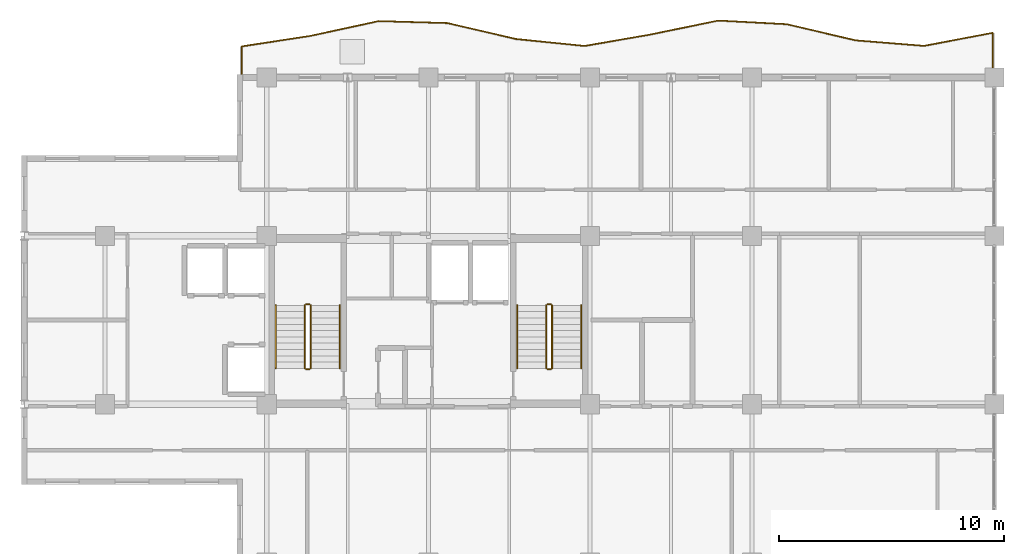
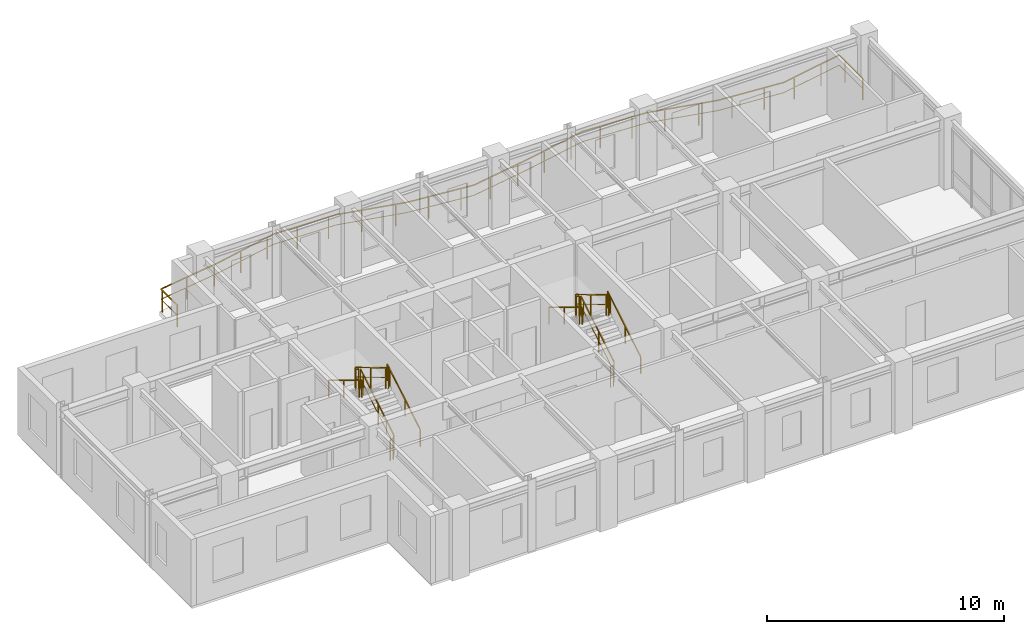
# One storey, part 10 of 10: 13 railings.
"""IFC4 building model written with IfcOpenShell, lengths in metres."""

import ifcopenshell
import ifcopenshell.guid

model = None  # the IFC model being written
_history = None  # IfcOwnerHistory: only IFC2X3 demands one
_inside = {}  # id of a spatial element -> (the spatial element, [elements in it])
_under = {}  # id of a project, library or spatial element -> (it, [spatial elements below it])
_declared = {}  # id of a project -> (the project, [libraries it declares])
_typed = {}  # id of a type object -> (the type object, [elements of that type])
_made_of = {}  # id of a material, layer set ... -> (it, [elements and type objects made of it])


def new_model(schema):
    """Start an empty IFC model of exactly this schema.

    Asked for "IFC4X3", IfcOpenShell would pick the latest addendum, in which some entities
    have other attributes; the version numbers below select the first issue.
    IFC2X3 requires an IfcOwnerHistory on every rooted entity: one is made here for all.
    """
    global model, _history
    if schema == "IFC4X3":
        model = ifcopenshell.file(schema_version=(4, 3, 0, 0))
    else:
        model = ifcopenshell.file(schema=schema)
    _inside.clear()
    _under.clear()
    _declared.clear()
    _typed.clear()
    _made_of.clear()
    _history = None
    if model.schema == "IFC2X3":
        org = make("IfcOrganization", Name="unknown")
        user = make(
            "IfcPersonAndOrganization",
            ThePerson=make("IfcPerson", FamilyName="unknown"),
            TheOrganization=org,
        )
        app = make(
            "IfcApplication",
            ApplicationDeveloper=org,
            Version="unknown",
            ApplicationFullName="unknown",
            ApplicationIdentifier="unknown",
        )
        _history = make(
            "IfcOwnerHistory",
            OwningUser=user,
            OwningApplication=app,
            ChangeAction="ADDED",
            CreationDate=0,
        )
    return model


def make(cls, **values):
    """One entity of the class cls with the attributes given. An attribute that is None is left unset."""
    return model.create_entity(
        cls, **{name: value for name, value in values.items() if value is not None}
    )


def rooted(cls, **values):
    """An entity with a GlobalId (a new one), such as an element, a storey or a relation."""
    return make(cls, GlobalId=ifcopenshell.guid.new(), OwnerHistory=_history, **values)


def si_unit(unit_type, name, prefix=None):
    """IfcSIUnit, for example si_unit("LENGTHUNIT", "METRE", prefix="MILLI")."""
    return make("IfcSIUnit", UnitType=unit_type, Prefix=prefix, Name=name)


def assignment(units):
    """IfcUnitAssignment: the units of a project."""
    return None if units is None else make("IfcUnitAssignment", Units=units)


def point(xyz):
    """IfcCartesianPoint."""
    return None if xyz is None else make("IfcCartesianPoint", Coordinates=xyz)


def direction(xyz):
    """IfcDirection."""
    return None if xyz is None else make("IfcDirection", DirectionRatios=xyz)


def frame(location, z_axis=None, x_axis=None):
    """IfcAxis2Placement3D, a coordinate frame: its origin and axes. An axis left out is left unset."""
    return make(
        "IfcAxis2Placement3D",
        Location=point(location),
        Axis=direction(z_axis),
        RefDirection=direction(x_axis),
    )


def frame_2d(location, x_axis=None):
    """IfcAxis2Placement2D, a coordinate frame in the plane: its origin and x axis."""
    return make(
        "IfcAxis2Placement2D", Location=point(location), RefDirection=direction(x_axis)
    )


def origin():
    """The frame at (0, 0, 0) with its axes left unset."""
    return frame((0.0, 0.0, 0.0))


def origin_2d():
    """The frame at (0, 0) in the plane with its x axis left unset."""
    return frame_2d((0.0, 0.0))


def place(relative_to, where):
    """IfcLocalPlacement: puts the frame where relative to a parent placement (None: the world)."""
    return make(
        "IfcLocalPlacement", PlacementRelTo=relative_to, RelativePlacement=where
    )


def context(
    kind, dimensions, precision=None, world=None, true_north=None, identifier=None
):
    """IfcGeometricRepresentationContext, for example the 3D "Model" context."""
    return make(
        "IfcGeometricRepresentationContext",
        ContextIdentifier=identifier,
        ContextType=kind,
        CoordinateSpaceDimension=dimensions,
        Precision=precision,
        WorldCoordinateSystem=world,
        TrueNorth=true_north,
    )


def subcontext(parent, identifier, kind, view, scale=None):
    """IfcGeometricRepresentationSubContext, for example "Body" below "Model"."""
    return make(
        "IfcGeometricRepresentationSubContext",
        ContextIdentifier=identifier,
        ContextType=kind,
        ParentContext=parent,
        TargetScale=scale,
        TargetView=view,
    )


def project(units=None, contexts=None):
    """IfcProject with its units and contexts."""
    return rooted(
        "IfcProject",
        Name="project",
        RepresentationContexts=contexts,
        UnitsInContext=assignment(units),
    )


def spatial(cls, under=None, at=None, **own):
    """A site, building, storey or space (cls), placed at a placement, below another one or the project."""
    s = rooted(cls, ObjectPlacement=at, **own)
    if under is not None:
        _under.setdefault(under.id(), (under, []))[1].append(s)
    return s


def profile(cls, at=None, kind="AREA", **sizes):
    """A parametric profile (cls). Its sizes go by their IFC names, for example OverallWidth=200.0."""
    return make(cls, ProfileType=kind, Position=at, **sizes)


def rectangle(**sizes):
    """IfcRectangleProfileDef."""
    return profile("IfcRectangleProfileDef", **sizes)


def extrude(swept, where, along, depth):
    """IfcExtrudedAreaSolid: the profile swept, set in the frame where, extruded along a direction by depth."""
    return make(
        "IfcExtrudedAreaSolid",
        SweptArea=swept,
        Position=where,
        ExtrudedDirection=direction(along),
        Depth=depth,
    )


def shape(context_of_items, identifier, shape_type, items):
    """IfcShapeRepresentation: the items that make up one representation, for example the "Body"."""
    return make(
        "IfcShapeRepresentation",
        ContextOfItems=context_of_items,
        RepresentationIdentifier=identifier,
        RepresentationType=shape_type,
        Items=items,
    )


def material(Name=None, Category=None):
    """IfcMaterial."""
    return make("IfcMaterial", Name=Name, Category=Category)


def made_of(thing, what):
    """Note that an element or type object is made of a material, layer set ...; save() writes the relation."""
    if what is not None:
        _made_of.setdefault(what.id(), (what, []))[1].append(thing)
    return thing


def type_object(cls, material=None, **own):
    """A type object (cls), such as IfcWallType, which elements share."""
    return made_of(rooted(cls, **own), material)


def element(
    cls,
    number,
    at=None,
    inside=None,
    cuts=None,
    type_object=None,
    material=None,
    context=None,
    identifier="Body",
    shape_type=None,
    held_by="IfcProductDefinitionShape",
    body=None,
    shapes=None,
    **own,
):
    """One element of the class cls, such as IfcWall. Its Tag is "e" and its number.

    at: its placement. inside: the storey or other place that contains it. cuts: it is an
    opening in that element (IfcRelVoidsElement). A single representation is given by context,
    identifier, shape_type and body (its items); several are given by shapes. held_by: the class
    of the entity that holds the representations. save() writes the other relations.
    """
    e = rooted(cls, Tag="e%d" % number, ObjectPlacement=at, **own)
    if body is not None:
        shapes = [shape(context, identifier, shape_type, body)]
    if shapes is not None:
        e.Representation = make(held_by, Representations=shapes)
    if inside is not None:
        _inside.setdefault(inside.id(), (inside, []))[1].append(e)
    if cuts is not None:
        rooted(
            "IfcRelVoidsElement", RelatingBuildingElement=cuts, RelatedOpeningElement=e
        )
    if type_object is not None:
        _typed.setdefault(type_object.id(), (type_object, []))[1].append(e)
    return made_of(e, material)


def aggregate(whole, parts):
    """IfcRelAggregates: a whole, such as a stair, and the parts it consists of."""
    return rooted("IfcRelAggregates", RelatingObject=whole, RelatedObjects=parts)


def save(model, path):
    """Write the relations noted so far, then the file.

    IfcRelAggregates (storeys below a building ...), IfcRelContainedInSpatialStructure (elements
    in a storey), IfcRelDefinesByType, IfcRelAssociatesMaterial and IfcRelDeclares: one each for
    every whole, place, type object, material and project.
    """
    for whole, parts in _under.values():
        aggregate(whole, parts)
    for where, things in _inside.values():
        rooted(
            "IfcRelContainedInSpatialStructure",
            RelatedElements=things,
            RelatingStructure=where,
        )
    for kind, things in _typed.values():
        rooted("IfcRelDefinesByType", RelatedObjects=things, RelatingType=kind)
    for what, things in _made_of.values():
        rooted("IfcRelAssociatesMaterial", RelatedObjects=things, RelatingMaterial=what)
    for by, libraries in _declared.values():
        rooted("IfcRelDeclares", RelatingContext=by, RelatedDefinitions=libraries)
    model.write(path)


model = new_model("IFC4")

# Units and contexts
model_context = context("Model", 3, precision=1e-05, world=origin(), true_north=direction((0.0, 1.0)))
body_context = subcontext(model_context, "Body", "Model", "MODEL_VIEW")
ifc_project = project(units=[si_unit("LENGTHUNIT", "METRE"), si_unit("AREAUNIT", "SQUARE_METRE"), si_unit("VOLUMEUNIT", "CUBIC_METRE"), si_unit("PLANEANGLEUNIT", "RADIAN"), si_unit("MASSUNIT", "GRAM", prefix="KILO")], contexts=[model_context])

# Site, building, storey
site_placement = place(None, origin())
site = spatial("IfcSite", under=ifc_project, at=site_placement, CompositionType="ELEMENT")
building_placement = place(site_placement, origin())
building = spatial("IfcBuilding", under=site, at=building_placement, Name="Kaliganga Portal Commons", CompositionType="ELEMENT")
storey_placement = place(building_placement, frame((0.0, 0.0, 275.800048828125)))
storey = spatial("IfcBuildingStorey", under=building, at=storey_placement, Name="L71", CompositionType="ELEMENT", Elevation=275.800048828125)

# Railings
ifc_material_1 = material(Name="Laminated Safety Glass and Stainless Steel 316", Category="steel")
railing_type_1 = type_object("IfcRailingType", Name="RLG-BAL-1150", PredefinedType="BALUSTRADE", material=ifc_material_1)
railing_1_placement = place(storey_placement, frame((46.720458984375, 43.2080078125, 0.0)))
element("IfcRailing", 1, at=railing_1_placement, inside=storey, type_object=railing_type_1, Name="Balcony Guardrail L71 balc_north", PredefinedType="BALUSTRADE", context=body_context, shape_type="SweptSolid", body=[
    extrude(rectangle(XDim=0.048095703125, YDim=0.048095703125, at=origin_2d()), frame((0.0, 0.0, 1.1259765625), z_axis=(-0.000246426804, 0.999999969637, 0.0), x_axis=(-0.999999969637, -0.000246426804, 0.0)), (0.0, 0.0, 1.0), 1.9814453125),
    extrude(rectangle(XDim=0.028076171875, YDim=0.028076171875, at=origin_2d()), frame((0.0, 0.0, 0.597900390625), z_axis=(-0.000246426804, 0.999999969637, 0.0), x_axis=(-0.999999969637, -0.000246426804, 0.0)), (0.0, 0.0, 1.0), 1.9814453125),
    extrude(rectangle(XDim=0.048095703125, YDim=0.048095703125, at=origin_2d()), frame((-0.00048828125, 1.9814453125, 1.1259765625), z_axis=(-0.982425747669, -0.186653824811, 0.0), x_axis=(0.186653824811, -0.982425747669, 0.0)), (0.0, 0.0, 1.0), 3.109130859375),
    extrude(rectangle(XDim=0.028076171875, YDim=0.028076171875, at=origin_2d()), frame((-0.00048828125, 1.9814453125, 0.597900390625), z_axis=(-0.982425747669, -0.186653824811, 0.0), x_axis=(0.186653824811, -0.982425747669, 0.0)), (0.0, 0.0, 1.0), 3.109130859375),
    extrude(rectangle(XDim=0.048095703125, YDim=0.048095703125, at=origin_2d()), frame((-3.054931640625, 1.401123046875, 1.1259765625), z_axis=(-0.996751382799, 0.080539933505, 0.0), x_axis=(-0.080539933505, -0.996751382799, 0.0)), (0.0, 0.0, 1.0), 3.064697265625),
    extrude(rectangle(XDim=0.028076171875, YDim=0.028076171875, at=origin_2d()), frame((-3.054931640625, 1.401123046875, 0.597900390625), z_axis=(-0.996751382799, 0.080539933505, 0.0), x_axis=(-0.080539933505, -0.996751382799, 0.0)), (0.0, 0.0, 1.0), 3.064697265625),
    extrude(rectangle(XDim=0.048095703125, YDim=0.048095703125, at=origin_2d()), frame((-6.109619140625, 1.64794921875, 1.1259765625), z_axis=(-0.973439616392, 0.2289439085, 0.0), x_axis=(-0.2289439085, -0.973439616392, 0.0)), (0.0, 0.0, 1.0), 3.13720703125),
    extrude(rectangle(XDim=0.028076171875, YDim=0.028076171875, at=origin_2d()), frame((-6.109619140625, 1.64794921875, 0.597900390625), z_axis=(-0.973439616392, 0.2289439085, 0.0), x_axis=(-0.2289439085, -0.973439616392, 0.0)), (0.0, 0.0, 1.0), 3.13720703125),
    extrude(rectangle(XDim=0.048095703125, YDim=0.048095703125, at=origin_2d()), frame((-9.16357421875, 2.3662109375, 1.1259765625), z_axis=(-0.998610541148, 0.052697126182, 0.0), x_axis=(-0.052697126182, -0.998610541148, 0.0)), (0.0, 0.0, 1.0), 3.0576171875),
    extrude(rectangle(XDim=0.028076171875, YDim=0.028076171875, at=origin_2d()), frame((-9.16357421875, 2.3662109375, 0.597900390625), z_axis=(-0.998610541148, 0.052697126182, 0.0), x_axis=(-0.052697126182, -0.998610541148, 0.0)), (0.0, 0.0, 1.0), 3.0576171875),
    extrude(rectangle(XDim=0.048095703125, YDim=0.048095703125, at=origin_2d()), frame((-12.217041015625, 2.52734375, 1.1259765625), z_axis=(-0.979552885668, -0.201186838981, 0.0), x_axis=(0.201186838981, -0.979552885668, 0.0)), (0.0, 0.0, 1.0), 3.11865234375),
    extrude(rectangle(XDim=0.028076171875, YDim=0.028076171875, at=origin_2d()), frame((-12.217041015625, 2.52734375, 0.597900390625), z_axis=(-0.979552885668, -0.201186838981, 0.0), x_axis=(0.201186838981, -0.979552885668, 0.0)), (0.0, 0.0, 1.0), 3.11865234375),
    extrude(rectangle(XDim=0.048095703125, YDim=0.048095703125, at=origin_2d()), frame((-15.27197265625, 1.89990234375, 1.1259765625), z_axis=(-0.985276891523, -0.17096621605, 0.0), x_axis=(0.17096621605, -0.985276891523, 0.0)), (0.0, 0.0, 1.0), 2.940185546875),
    extrude(rectangle(XDim=0.028076171875, YDim=0.028076171875, at=origin_2d()), frame((-15.27197265625, 1.89990234375, 0.597900390625), z_axis=(-0.985276891523, -0.17096621605, 0.0), x_axis=(0.17096621605, -0.985276891523, 0.0)), (0.0, 0.0, 1.0), 2.940185546875),
    extrude(rectangle(XDim=0.048095703125, YDim=0.048095703125, at=origin_2d()), frame((-18.1689453125, 1.397216796875, 1.1259765625), z_axis=(-0.994891206319, 0.100952897875, 0.0), x_axis=(-0.100952897875, -0.994891206319, 0.0)), (0.0, 0.0, 1.0), 3.06884765625),
    extrude(rectangle(XDim=0.028076171875, YDim=0.028076171875, at=origin_2d()), frame((-18.1689453125, 1.397216796875, 0.597900390625), z_axis=(-0.994891206319, 0.100952897875, 0.0), x_axis=(-0.100952897875, -0.994891206319, 0.0)), (0.0, 0.0, 1.0), 3.06884765625),
    extrude(rectangle(XDim=0.048095703125, YDim=0.048095703125, at=origin_2d()), frame((-21.22216796875, 1.70703125, 1.1259765625), z_axis=(-0.974080664154, 0.226200927763, 0.0), x_axis=(-0.226200927763, -0.974080664154, 0.0)), (0.0, 0.0, 1.0), 3.136474609375),
    extrude(rectangle(XDim=0.028076171875, YDim=0.028076171875, at=origin_2d()), frame((-21.22216796875, 1.70703125, 0.597900390625), z_axis=(-0.974080664154, 0.226200927763, 0.0), x_axis=(-0.226200927763, -0.974080664154, 0.0)), (0.0, 0.0, 1.0), 3.136474609375),
    extrude(rectangle(XDim=0.048095703125, YDim=0.048095703125, at=origin_2d()), frame((-24.27734375, 2.41650390625, 1.1259765625), z_axis=(-0.999579278707, 0.029004578591, 0.0), x_axis=(-0.029004578591, -0.999579278707, 0.0)), (0.0, 0.0, 1.0), 3.055419921875),
    extrude(rectangle(XDim=0.028076171875, YDim=0.028076171875, at=origin_2d()), frame((-24.27734375, 2.41650390625, 0.597900390625), z_axis=(-0.999579278707, 0.029004578591, 0.0), x_axis=(-0.029004578591, -0.999579278707, 0.0)), (0.0, 0.0, 1.0), 3.055419921875),
    extrude(rectangle(XDim=0.048095703125, YDim=0.048095703125, at=origin_2d()), frame((-27.33154296875, 2.505126953125, 1.1259765625), z_axis=(-0.977367039829, -0.211550630953, 0.0), x_axis=(0.211550630953, -0.977367039829, 0.0)), (0.0, 0.0, 1.0), 3.125244140625),
    extrude(rectangle(XDim=0.028076171875, YDim=0.028076171875, at=origin_2d()), frame((-27.33154296875, 2.505126953125, 0.597900390625), z_axis=(-0.977367039829, -0.211550630953, 0.0), x_axis=(0.211550630953, -0.977367039829, 0.0)), (0.0, 0.0, 1.0), 3.125244140625),
    extrude(rectangle(XDim=0.048095703125, YDim=0.048095703125, at=origin_2d()), frame((-30.385986328125, 1.843994140625, 1.1259765625), z_axis=(-0.988487412372, -0.151303124826, 0.0), x_axis=(0.151303124826, -0.988487412372, 0.0)), (0.0, 0.0, 1.0), 3.090087890625),
    extrude(rectangle(XDim=0.028076171875, YDim=0.028076171875, at=origin_2d()), frame((-30.385986328125, 1.843994140625, 0.597900390625), z_axis=(-0.988487412372, -0.151303124826, 0.0), x_axis=(0.151303124826, -0.988487412372, 0.0)), (0.0, 0.0, 1.0), 3.090087890625),
    extrude(rectangle(XDim=0.048095703125, YDim=0.048095703125, at=origin_2d()), frame((-33.4404296875, 1.37646484375, 1.1259765625), z_axis=(-0.0003547357, -0.999999937081, 0.0), x_axis=(0.999999937081, -0.0003547357, 0.0)), (0.0, 0.0, 1.0), 1.37646484375),
    extrude(rectangle(XDim=0.028076171875, YDim=0.028076171875, at=origin_2d()), frame((-33.4404296875, 1.37646484375, 0.597900390625), z_axis=(-0.0003547357, -0.999999937081, 0.0), x_axis=(0.999999937081, -0.0003547357, 0.0)), (0.0, 0.0, 1.0), 1.37646484375),
    extrude(rectangle(XDim=0.0419921875, YDim=0.0419921875, at=origin_2d()), origin(), (0.0, 0.0, 1.0), 1.101806640625),
    extrude(rectangle(XDim=0.0419921875, YDim=0.0419921875, at=origin_2d()), frame((-0.00048828125, 1.5, 0.0)), (0.0, 0.0, 1.0), 1.101806640625),
    extrude(rectangle(XDim=0.0419921875, YDim=0.0419921875, at=origin_2d()), frame((-1.001220703125, 1.791259765625, 0.0)), (0.0, 0.0, 1.0), 1.101806640625),
    extrude(rectangle(XDim=0.0419921875, YDim=0.0419921875, at=origin_2d()), frame((-2.474853515625, 1.51123046875, 0.0)), (0.0, 0.0, 1.0), 1.101806640625),
    extrude(rectangle(XDim=0.0419921875, YDim=0.0419921875, at=origin_2d()), frame((-3.96142578125, 1.474365234375, 0.0)), (0.0, 0.0, 1.0), 1.101806640625),
    extrude(rectangle(XDim=0.0419921875, YDim=0.0419921875, at=origin_2d()), frame((-5.45654296875, 1.59521484375, 0.0)), (0.0, 0.0, 1.0), 1.101806640625),
    extrude(rectangle(XDim=0.0419921875, YDim=0.0419921875, at=origin_2d()), frame((-6.93212890625, 1.84130859375, 0.0)), (0.0, 0.0, 1.0), 1.101806640625),
    extrude(rectangle(XDim=0.0419921875, YDim=0.0419921875, at=origin_2d()), frame((-8.39208984375, 2.184814453125, 0.0)), (0.0, 0.0, 1.0), 1.101806640625),
    extrude(rectangle(XDim=0.0419921875, YDim=0.0419921875, at=origin_2d()), frame((-9.8701171875, 2.403564453125, 0.0)), (0.0, 0.0, 1.0), 1.101806640625),
    extrude(rectangle(XDim=0.0419921875, YDim=0.0419921875, at=origin_2d()), frame((-11.3681640625, 2.482421875, 0.0)), (0.0, 0.0, 1.0), 1.101806640625),
    extrude(rectangle(XDim=0.0419921875, YDim=0.0419921875, at=origin_2d()), frame((-12.853515625, 2.396728515625, 0.0)), (0.0, 0.0, 1.0), 1.101806640625),
    extrude(rectangle(XDim=0.0419921875, YDim=0.0419921875, at=origin_2d()), frame((-14.322998046875, 2.0947265625, 0.0)), (0.0, 0.0, 1.0), 1.101806640625),
    extrude(rectangle(XDim=0.0419921875, YDim=0.0419921875, at=origin_2d()), frame((-15.795166015625, 1.80908203125, 0.0)), (0.0, 0.0, 1.0), 1.101806640625),
    extrude(rectangle(XDim=0.0419921875, YDim=0.0419921875, at=origin_2d()), frame((-17.273193359375, 1.552734375, 0.0)), (0.0, 0.0, 1.0), 1.101806640625),
    extrude(rectangle(XDim=0.0419921875, YDim=0.0419921875, at=origin_2d()), frame((-18.7568359375, 1.456787109375, 0.0)), (0.0, 0.0, 1.0), 1.101806640625),
    extrude(rectangle(XDim=0.0419921875, YDim=0.0419921875, at=origin_2d()), frame((-20.2490234375, 1.6083984375, 0.0)), (0.0, 0.0, 1.0), 1.101806640625),
    extrude(rectangle(XDim=0.0419921875, YDim=0.0419921875, at=origin_2d()), frame((-21.730712890625, 1.8251953125, 0.0)), (0.0, 0.0, 1.0), 1.101806640625),
    extrude(rectangle(XDim=0.0419921875, YDim=0.0419921875, at=origin_2d()), frame((-23.191650390625, 2.164306640625, 0.0)), (0.0, 0.0, 1.0), 1.101806640625),
    extrude(rectangle(XDim=0.0419921875, YDim=0.0419921875, at=origin_2d()), frame((-24.66259765625, 2.427734375, 0.0)), (0.0, 0.0, 1.0), 1.101806640625),
    extrude(rectangle(XDim=0.0419921875, YDim=0.0419921875, at=origin_2d()), frame((-26.162109375, 2.47119140625, 0.0)), (0.0, 0.0, 1.0), 1.101806640625),
    extrude(rectangle(XDim=0.0419921875, YDim=0.0419921875, at=origin_2d()), frame((-27.654052734375, 2.435302734375, 0.0)), (0.0, 0.0, 1.0), 1.101806640625),
    extrude(rectangle(XDim=0.0419921875, YDim=0.0419921875, at=origin_2d()), frame((-29.1201171875, 2.117919921875, 0.0)), (0.0, 0.0, 1.0), 1.101806640625),
    extrude(rectangle(XDim=0.0419921875, YDim=0.0419921875, at=origin_2d()), frame((-30.58837890625, 1.81298828125, 0.0)), (0.0, 0.0, 1.0), 1.101806640625),
    extrude(rectangle(XDim=0.0419921875, YDim=0.0419921875, at=origin_2d()), frame((-32.0712890625, 1.5859375, 0.0)), (0.0, 0.0, 1.0), 1.101806640625),
    extrude(rectangle(XDim=0.0419921875, YDim=0.0419921875, at=origin_2d()), frame((-33.4404296875, 1.26171875, 0.0)), (0.0, 0.0, 1.0), 1.101806640625),
    extrude(rectangle(XDim=0.0419921875, YDim=0.0419921875, at=origin_2d()), frame((-33.44091796875, 0.0, 0.0)), (0.0, 0.0, 1.0), 1.101806640625),
])
ifc_material_2 = material(Name="Galvanized Painted Steel Balustrade", Category="steel")
railing_type_2 = type_object("IfcRailingType", Name="RLG-STAIR-GRD", PredefinedType="GUARDRAIL", material=ifc_material_2)
railing_2_placement = place(storey_placement, frame((16.35009765625, 30.25, 0.168212890625)))
element("IfcRailing", 2, at=railing_2_placement, inside=storey, type_object=railing_type_2, Name="L71 ST-A1 stair guard 1", PredefinedType="GUARDRAIL", context=body_context, shape_type="SweptSolid", body=[
    extrude(rectangle(XDim=0.048095703125, YDim=0.048095703125, at=origin_2d()), frame((0.0, 0.0, 1.072021484375), z_axis=(0.0, 0.857275202839, 0.514858452973), x_axis=(-1.0, 0.0, 0.0)), (0.0, 0.0, 1.0), 3.26611328125),
    extrude(rectangle(XDim=0.028076171875, YDim=0.028076171875, at=origin_2d()), frame((0.0, 0.0, 0.572021484375), z_axis=(0.0, 0.857275202839, 0.514858452973), x_axis=(-1.0, 0.0, 0.0)), (0.0, 0.0, 1.0), 3.26611328125),
    extrude(rectangle(XDim=0.0419921875, YDim=0.0419921875, at=origin_2d()), origin(), (0.0, 0.0, 1.0), 1.052001953125),
    extrude(rectangle(XDim=0.0419921875, YDim=0.0419921875, at=origin_2d()), frame((0.0, 1.285888671875, 0.772216796875)), (0.0, 0.0, 1.0), 1.052001953125),
    extrude(rectangle(XDim=0.0419921875, YDim=0.0419921875, at=origin_2d()), frame((0.0, 2.57177734375, 1.544677734375)), (0.0, 0.0, 1.0), 1.052001953125),
    extrude(rectangle(XDim=0.0419921875, YDim=0.0419921875, at=origin_2d()), frame((0.0, 2.800048828125, 1.681640625)), (0.0, 0.0, 1.0), 1.052001953125),
])
railing_3_placement = place(storey_placement, frame((16.300048828125, 33.10009765625, 1.849853515625)))
element("IfcRailing", 3, at=railing_3_placement, inside=storey, type_object=railing_type_2, Name="L71 ST-A1 stair guard 2", PredefinedType="GUARDRAIL", context=body_context, shape_type="SweptSolid", body=[
    extrude(rectangle(XDim=0.048095703125, YDim=0.048095703125, at=origin_2d()), frame((0.0, 0.0, 1.076171875), z_axis=(-1.0, 0.0, 0.0), x_axis=(0.0, -1.0, 0.0)), (0.0, 0.0, 1.0), 0.150146484375),
    extrude(rectangle(XDim=0.028076171875, YDim=0.028076171875, at=origin_2d()), frame((0.0, 0.0, 0.572021484375), z_axis=(-1.0, 0.0, 0.0), x_axis=(0.0, -1.0, 0.0)), (0.0, 0.0, 1.0), 0.150146484375),
    extrude(rectangle(XDim=0.0419921875, YDim=0.0419921875, at=origin_2d()), origin(), (0.0, 0.0, 1.0), 1.052001953125),
    extrude(rectangle(XDim=0.0419921875, YDim=0.0419921875, at=origin_2d()), frame((-0.150146484375, 0.0, 0.0)), (0.0, 0.0, 1.0), 1.052001953125),
])
railing_4_placement = place(storey_placement, frame((16.10009765625, 33.050048828125, 2.01806640625)))
element("IfcRailing", 4, at=railing_4_placement, inside=storey, type_object=railing_type_2, Name="L71 ST-A1 stair guard 3", PredefinedType="GUARDRAIL", context=body_context, shape_type="SweptSolid", body=[
    extrude(rectangle(XDim=0.048095703125, YDim=0.048095703125, at=origin_2d()), frame((0.0, 0.0, 1.072021484375), z_axis=(0.0, -0.857242210791, 0.514913383045), x_axis=(1.0, 0.0, 0.0)), (0.0, 0.0, 1.0), 3.266357421875),
    extrude(rectangle(XDim=0.028076171875, YDim=0.028076171875, at=origin_2d()), frame((0.0, 0.0, 0.572021484375), z_axis=(0.0, -0.857242210791, 0.514913383045), x_axis=(1.0, 0.0, 0.0)), (0.0, 0.0, 1.0), 3.266357421875),
    extrude(rectangle(XDim=0.0419921875, YDim=0.0419921875, at=origin_2d()), origin(), (0.0, 0.0, 1.0), 1.052001953125),
    extrude(rectangle(XDim=0.0419921875, YDim=0.0419921875, at=origin_2d()), frame((0.0, -1.285888671875, 0.7724609375)), (0.0, 0.0, 1.0), 1.052001953125),
    extrude(rectangle(XDim=0.0419921875, YDim=0.0419921875, at=origin_2d()), frame((0.0, -2.57177734375, 1.544677734375)), (0.0, 0.0, 1.0), 1.052001953125),
    extrude(rectangle(XDim=0.0419921875, YDim=0.0419921875, at=origin_2d()), frame((0.0, -2.800048828125, 1.681884765625)), (0.0, 0.0, 1.0), 1.052001953125),
])
railing_5_placement = place(storey_placement, frame((16.300048828125, 30.199951171875, 0.0)))
element("IfcRailing", 5, at=railing_5_placement, inside=storey, type_object=railing_type_2, Name="L71 ST-A1 stair guard 4", PredefinedType="GUARDRAIL", context=body_context, shape_type="SweptSolid", body=[
    extrude(rectangle(XDim=0.048095703125, YDim=0.048095703125, at=origin_2d()), frame((0.0, 0.0, 1.076171875), z_axis=(-1.0, 0.0, 0.0), x_axis=(0.0, -1.0, 0.0)), (0.0, 0.0, 1.0), 0.150146484375),
    extrude(rectangle(XDim=0.028076171875, YDim=0.028076171875, at=origin_2d()), frame((0.0, 0.0, 0.572021484375), z_axis=(-1.0, 0.0, 0.0), x_axis=(0.0, -1.0, 0.0)), (0.0, 0.0, 1.0), 0.150146484375),
    extrude(rectangle(XDim=0.0419921875, YDim=0.0419921875, at=origin_2d()), origin(), (0.0, 0.0, 1.0), 1.052001953125),
    extrude(rectangle(XDim=0.0419921875, YDim=0.0419921875, at=origin_2d()), frame((-0.150146484375, 0.0, 0.0)), (0.0, 0.0, 1.0), 1.052001953125),
])
railing_6_placement = place(storey_placement, frame((27.10009765625, 30.25, 0.168212890625)))
element("IfcRailing", 6, at=railing_6_placement, inside=storey, type_object=railing_type_2, Name="L71 ST-A2 stair guard 1", PredefinedType="GUARDRAIL", context=body_context, shape_type="SweptSolid", body=[
    extrude(rectangle(XDim=0.048095703125, YDim=0.048095703125, at=origin_2d()), frame((0.0, 0.0, 1.072021484375), z_axis=(0.0, 0.857275202839, 0.514858452973), x_axis=(-1.0, 0.0, 0.0)), (0.0, 0.0, 1.0), 3.26611328125),
    extrude(rectangle(XDim=0.028076171875, YDim=0.028076171875, at=origin_2d()), frame((0.0, 0.0, 0.572021484375), z_axis=(0.0, 0.857275202839, 0.514858452973), x_axis=(-1.0, 0.0, 0.0)), (0.0, 0.0, 1.0), 3.26611328125),
    extrude(rectangle(XDim=0.0419921875, YDim=0.0419921875, at=origin_2d()), origin(), (0.0, 0.0, 1.0), 1.052001953125),
    extrude(rectangle(XDim=0.0419921875, YDim=0.0419921875, at=origin_2d()), frame((0.0, 1.285888671875, 0.772216796875)), (0.0, 0.0, 1.0), 1.052001953125),
    extrude(rectangle(XDim=0.0419921875, YDim=0.0419921875, at=origin_2d()), frame((0.0, 2.57177734375, 1.544677734375)), (0.0, 0.0, 1.0), 1.052001953125),
    extrude(rectangle(XDim=0.0419921875, YDim=0.0419921875, at=origin_2d()), frame((0.0, 2.800048828125, 1.681640625)), (0.0, 0.0, 1.0), 1.052001953125),
])
railing_7_placement = place(storey_placement, frame((27.050048828125, 33.10009765625, 1.849853515625)))
element("IfcRailing", 7, at=railing_7_placement, inside=storey, type_object=railing_type_2, Name="L71 ST-A2 stair guard 2", PredefinedType="GUARDRAIL", context=body_context, shape_type="SweptSolid", body=[
    extrude(rectangle(XDim=0.048095703125, YDim=0.048095703125, at=origin_2d()), frame((0.0, 0.0, 1.076171875), z_axis=(-1.0, 0.0, 0.0), x_axis=(0.0, -1.0, 0.0)), (0.0, 0.0, 1.0), 0.150146484375),
    extrude(rectangle(XDim=0.028076171875, YDim=0.028076171875, at=origin_2d()), frame((0.0, 0.0, 0.572021484375), z_axis=(-1.0, 0.0, 0.0), x_axis=(0.0, -1.0, 0.0)), (0.0, 0.0, 1.0), 0.150146484375),
    extrude(rectangle(XDim=0.0419921875, YDim=0.0419921875, at=origin_2d()), origin(), (0.0, 0.0, 1.0), 1.052001953125),
    extrude(rectangle(XDim=0.0419921875, YDim=0.0419921875, at=origin_2d()), frame((-0.150146484375, 0.0, 0.0)), (0.0, 0.0, 1.0), 1.052001953125),
])
railing_8_placement = place(storey_placement, frame((26.85009765625, 33.050048828125, 2.01806640625)))
element("IfcRailing", 8, at=railing_8_placement, inside=storey, type_object=railing_type_2, Name="L71 ST-A2 stair guard 3", PredefinedType="GUARDRAIL", context=body_context, shape_type="SweptSolid", body=[
    extrude(rectangle(XDim=0.048095703125, YDim=0.048095703125, at=origin_2d()), frame((0.0, 0.0, 1.072021484375), z_axis=(0.0, -0.857242210791, 0.514913383045), x_axis=(1.0, 0.0, 0.0)), (0.0, 0.0, 1.0), 3.266357421875),
    extrude(rectangle(XDim=0.028076171875, YDim=0.028076171875, at=origin_2d()), frame((0.0, 0.0, 0.572021484375), z_axis=(0.0, -0.857242210791, 0.514913383045), x_axis=(1.0, 0.0, 0.0)), (0.0, 0.0, 1.0), 3.266357421875),
    extrude(rectangle(XDim=0.0419921875, YDim=0.0419921875, at=origin_2d()), origin(), (0.0, 0.0, 1.0), 1.052001953125),
    extrude(rectangle(XDim=0.0419921875, YDim=0.0419921875, at=origin_2d()), frame((0.0, -1.285888671875, 0.7724609375)), (0.0, 0.0, 1.0), 1.052001953125),
    extrude(rectangle(XDim=0.0419921875, YDim=0.0419921875, at=origin_2d()), frame((0.0, -2.57177734375, 1.544677734375)), (0.0, 0.0, 1.0), 1.052001953125),
    extrude(rectangle(XDim=0.0419921875, YDim=0.0419921875, at=origin_2d()), frame((0.0, -2.800048828125, 1.681884765625)), (0.0, 0.0, 1.0), 1.052001953125),
])
railing_9_placement = place(storey_placement, frame((27.050048828125, 30.199951171875, 0.0)))
element("IfcRailing", 9, at=railing_9_placement, inside=storey, type_object=railing_type_2, Name="L71 ST-A2 stair guard 4", PredefinedType="GUARDRAIL", context=body_context, shape_type="SweptSolid", body=[
    extrude(rectangle(XDim=0.048095703125, YDim=0.048095703125, at=origin_2d()), frame((0.0, 0.0, 1.076171875), z_axis=(-1.0, 0.0, 0.0), x_axis=(0.0, -1.0, 0.0)), (0.0, 0.0, 1.0), 0.150146484375),
    extrude(rectangle(XDim=0.028076171875, YDim=0.028076171875, at=origin_2d()), frame((0.0, 0.0, 0.572021484375), z_axis=(-1.0, 0.0, 0.0), x_axis=(0.0, -1.0, 0.0)), (0.0, 0.0, 1.0), 0.150146484375),
    extrude(rectangle(XDim=0.0419921875, YDim=0.0419921875, at=origin_2d()), origin(), (0.0, 0.0, 1.0), 1.052001953125),
    extrude(rectangle(XDim=0.0419921875, YDim=0.0419921875, at=origin_2d()), frame((-0.150146484375, 0.0, 0.0)), (0.0, 0.0, 1.0), 1.052001953125),
])
ifc_material_3 = material(Name="Brushed Stainless Steel 316", Category="steel")
railing_type_3 = type_object("IfcRailingType", Name="RLG-STAIR-HR", PredefinedType="HANDRAIL", material=ifc_material_3)
railing_10_placement = place(storey_placement, frame((17.64990234375, 30.25, 0.168212890625)))
element("IfcRailing", 10, at=railing_10_placement, inside=storey, type_object=railing_type_3, Name="L71 ST-A1 stair handrail 1", PredefinedType="HANDRAIL", context=body_context, shape_type="SweptSolid", body=[
    extrude(rectangle(XDim=0.048095703125, YDim=0.048095703125, at=origin_2d()), frame((0.0, 0.0, 0.871826171875), z_axis=(0.0, 0.857275202839, 0.514858452973), x_axis=(-1.0, 0.0, 0.0)), (0.0, 0.0, 1.0), 3.26611328125),
    extrude(rectangle(XDim=0.0419921875, YDim=0.0419921875, at=origin_2d()), origin(), (0.0, 0.0, 1.0), 0.851806640625),
    extrude(rectangle(XDim=0.0419921875, YDim=0.0419921875, at=origin_2d()), frame((0.0, 1.285888671875, 0.772216796875)), (0.0, 0.0, 1.0), 0.851806640625),
    extrude(rectangle(XDim=0.0419921875, YDim=0.0419921875, at=origin_2d()), frame((0.0, 2.57177734375, 1.544677734375)), (0.0, 0.0, 1.0), 0.851806640625),
    extrude(rectangle(XDim=0.0419921875, YDim=0.0419921875, at=origin_2d()), frame((0.0, 2.800048828125, 1.681640625)), (0.0, 0.0, 1.0), 0.851806640625),
])
railing_11_placement = place(storey_placement, frame((14.800048828125, 33.050048828125, 2.01806640625)))
element("IfcRailing", 11, at=railing_11_placement, inside=storey, type_object=railing_type_3, Name="L71 ST-A1 stair handrail 2", PredefinedType="HANDRAIL", context=body_context, shape_type="SweptSolid", body=[
    extrude(rectangle(XDim=0.048095703125, YDim=0.048095703125, at=origin_2d()), frame((0.0, 0.0, 0.871826171875), z_axis=(0.0, -0.857242210791, 0.514913383045), x_axis=(1.0, 0.0, 0.0)), (0.0, 0.0, 1.0), 3.266357421875),
    extrude(rectangle(XDim=0.0419921875, YDim=0.0419921875, at=origin_2d()), origin(), (0.0, 0.0, 1.0), 0.851806640625),
    extrude(rectangle(XDim=0.0419921875, YDim=0.0419921875, at=origin_2d()), frame((0.0, -1.285888671875, 0.7724609375)), (0.0, 0.0, 1.0), 0.851806640625),
    extrude(rectangle(XDim=0.0419921875, YDim=0.0419921875, at=origin_2d()), frame((0.0, -2.57177734375, 1.544677734375)), (0.0, 0.0, 1.0), 0.851806640625),
    extrude(rectangle(XDim=0.0419921875, YDim=0.0419921875, at=origin_2d()), frame((0.0, -2.800048828125, 1.681884765625)), (0.0, 0.0, 1.0), 0.851806640625),
])
railing_12_placement = place(storey_placement, frame((28.39990234375, 30.25, 0.168212890625)))
element("IfcRailing", 12, at=railing_12_placement, inside=storey, type_object=railing_type_3, Name="L71 ST-A2 stair handrail 1", PredefinedType="HANDRAIL", context=body_context, shape_type="SweptSolid", body=[
    extrude(rectangle(XDim=0.048095703125, YDim=0.048095703125, at=origin_2d()), frame((0.0, 0.0, 0.871826171875), z_axis=(0.0, 0.857275202839, 0.514858452973), x_axis=(-1.0, 0.0, 0.0)), (0.0, 0.0, 1.0), 3.26611328125),
    extrude(rectangle(XDim=0.0419921875, YDim=0.0419921875, at=origin_2d()), origin(), (0.0, 0.0, 1.0), 0.851806640625),
    extrude(rectangle(XDim=0.0419921875, YDim=0.0419921875, at=origin_2d()), frame((0.0, 1.285888671875, 0.772216796875)), (0.0, 0.0, 1.0), 0.851806640625),
    extrude(rectangle(XDim=0.0419921875, YDim=0.0419921875, at=origin_2d()), frame((0.0, 2.57177734375, 1.544677734375)), (0.0, 0.0, 1.0), 0.851806640625),
    extrude(rectangle(XDim=0.0419921875, YDim=0.0419921875, at=origin_2d()), frame((0.0, 2.800048828125, 1.681640625)), (0.0, 0.0, 1.0), 0.851806640625),
])
railing_13_placement = place(storey_placement, frame((25.550048828125, 33.050048828125, 2.01806640625)))
element("IfcRailing", 13, at=railing_13_placement, inside=storey, type_object=railing_type_3, Name="L71 ST-A2 stair handrail 2", PredefinedType="HANDRAIL", context=body_context, shape_type="SweptSolid", body=[
    extrude(rectangle(XDim=0.048095703125, YDim=0.048095703125, at=origin_2d()), frame((0.0, 0.0, 0.871826171875), z_axis=(0.0, -0.857242210791, 0.514913383045), x_axis=(1.0, 0.0, 0.0)), (0.0, 0.0, 1.0), 3.266357421875),
    extrude(rectangle(XDim=0.0419921875, YDim=0.0419921875, at=origin_2d()), origin(), (0.0, 0.0, 1.0), 0.851806640625),
    extrude(rectangle(XDim=0.0419921875, YDim=0.0419921875, at=origin_2d()), frame((0.0, -1.285888671875, 0.7724609375)), (0.0, 0.0, 1.0), 0.851806640625),
    extrude(rectangle(XDim=0.0419921875, YDim=0.0419921875, at=origin_2d()), frame((0.0, -2.57177734375, 1.544677734375)), (0.0, 0.0, 1.0), 0.851806640625),
    extrude(rectangle(XDim=0.0419921875, YDim=0.0419921875, at=origin_2d()), frame((0.0, -2.800048828125, 1.681884765625)), (0.0, 0.0, 1.0), 0.851806640625),
])

save(model, "model.ifc")
